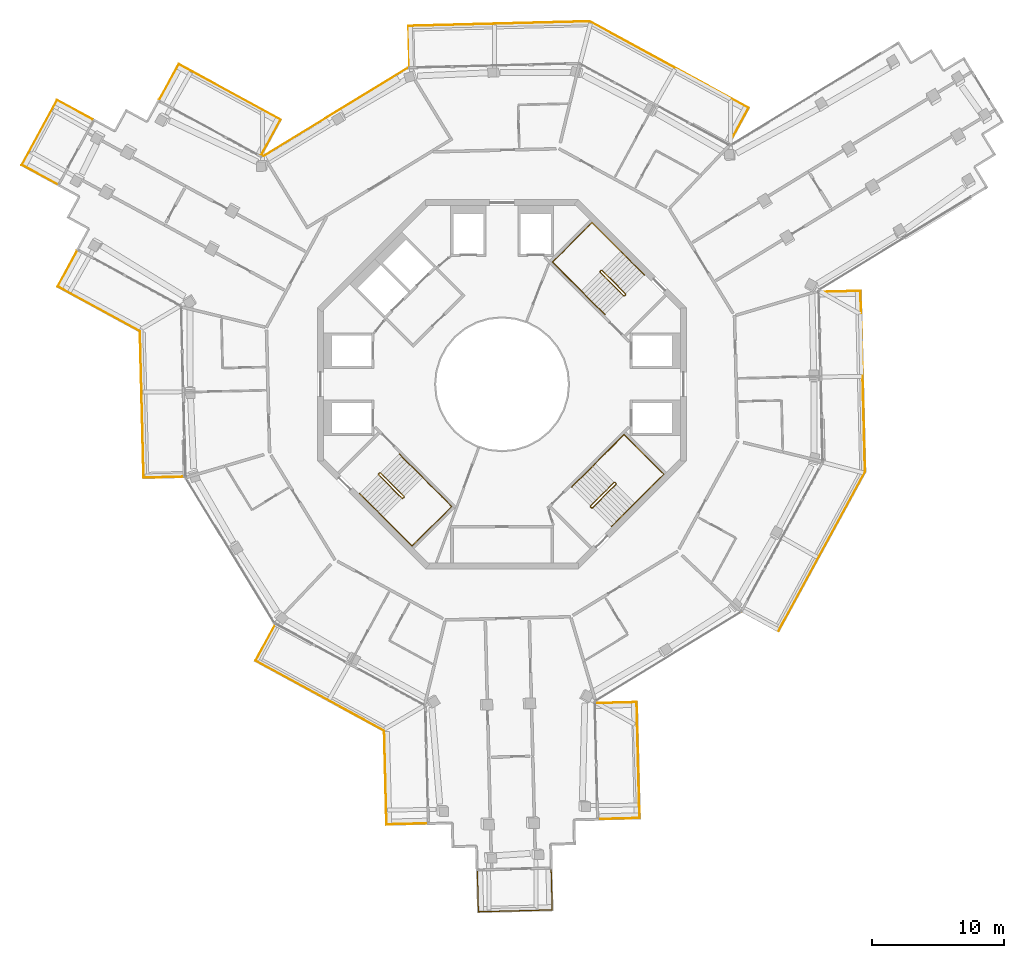
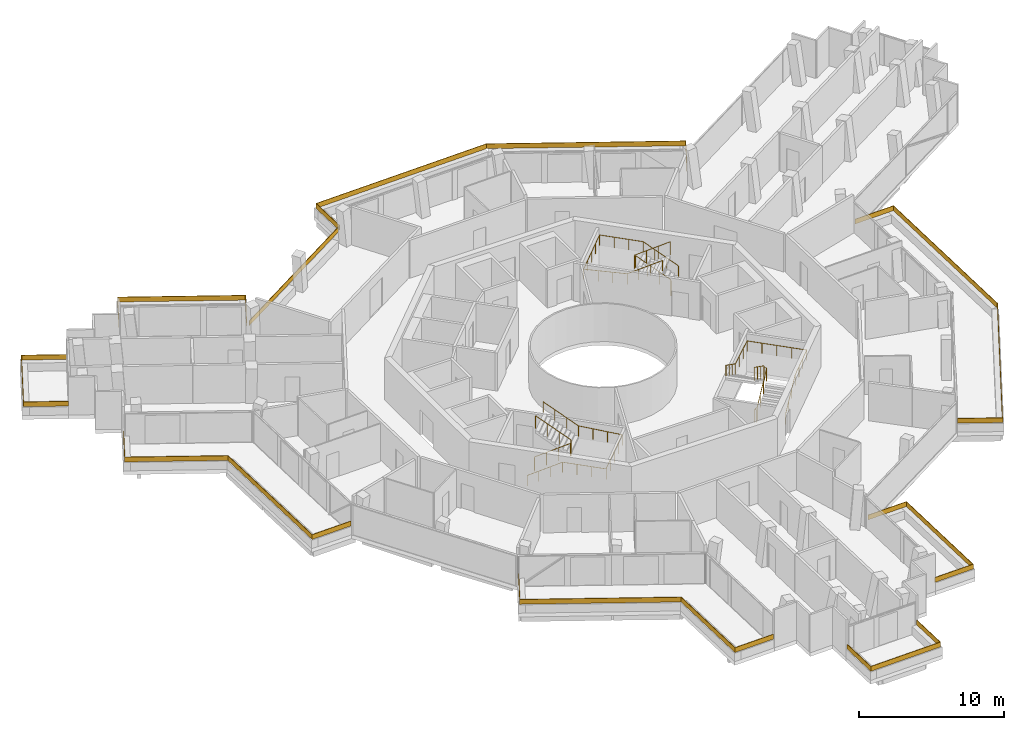
# One storey, part 26 of 26: 15 railings.
"""IFC4 building model written with IfcOpenShell, lengths in metres."""

from ifc_helpers import new_model, si_unit, direction, frame, origin, origin_2d, place, context, subcontext, project, spatial, polyline, rectangle, circle, outline, extrude, material, layer, layer_set, type_object, element, save


model = new_model("IFC4")

# Units and contexts
model_context = context("Model", 3, precision=1e-05, world=origin(), true_north=direction((0.0, 1.0)))
body_context = subcontext(model_context, "Body", "Model", "MODEL_VIEW")
ifc_project = project(units=[si_unit("LENGTHUNIT", "METRE"), si_unit("AREAUNIT", "SQUARE_METRE"), si_unit("VOLUMEUNIT", "CUBIC_METRE"), si_unit("PLANEANGLEUNIT", "RADIAN"), si_unit("MASSUNIT", "GRAM", prefix="KILO")], contexts=[model_context])

# Site, building, storey
site_placement = place(None, origin())
site = spatial("IfcSite", under=ifc_project, at=site_placement, CompositionType="ELEMENT")
building_placement = place(site_placement, origin())
building = spatial("IfcBuilding", under=site, at=building_placement, Name="Verdalira Terraces Hotel", CompositionType="ELEMENT")
storey_placement = place(building_placement, frame((0.0, 0.0, 284.5)))
storey = spatial("IfcBuildingStorey", under=building, at=storey_placement, Name="L70", CompositionType="ELEMENT", Elevation=284.5)

# Railings
ifc_material_1 = material(Name="Laminated glass", Category="glass")
ifc_layer = layer(ifc_material_1, 0.0400390625)
ifc_layer_set = layer_set([ifc_layer], Name="Balcony glass guard 400")
railing_type_1 = type_object("IfcRailingType", Name="Balcony glass guard 400", PredefinedType="GUARDRAIL", material=ifc_layer_set)
railing_1_placement = place(storey_placement, frame((0.0, 0.0, 0.699951)))
element("IfcRailing", 1, at=railing_1_placement, inside=storey, type_object=railing_type_1, Name="Balcony glass guard", PredefinedType="GUARDRAIL", context=body_context, shape_type="SweptSolid", body=[
    extrude(outline(polyline([(-33.74585, 21.533447), (-36.403809, 16.649902), (-33.699463, 15.177979), (-33.71875, 15.142822), (-36.458008, 16.634033), (-33.761719, 21.587646), (-31.022217, 20.096436), (-31.041504, 20.061279), (-33.74585, 21.533447)])), origin(), (0.0, 0.0, 1.0), 0.400146),
])
railing_2_placement = place(storey_placement, frame((0.0, 0.0, 0.699951)))
element("IfcRailing", 2, at=railing_2_placement, inside=storey, type_object=railing_type_1, Name="Balcony glass guard", PredefinedType="GUARDRAIL", context=body_context, shape_type="SweptSolid", body=[
    extrude(outline(polyline([(-33.682129, 7.426514), (-27.448242, 4.033203), (-27.169434, -7.064941), (-24.091309, -6.987549), (-24.090332, -7.027588), (-27.208252, -7.105957), (-27.487793, 4.009277), (-33.736572, 7.4104), (-32.245361, 10.149902), (-32.210205, 10.130859), (-33.682129, 7.426514)])), origin(), (0.0, 0.0, 1.0), 0.400146),
])
railing_3_placement = place(storey_placement, frame((0.0, 0.0, 0.699951)))
element("IfcRailing", 3, at=railing_3_placement, inside=storey, type_object=railing_type_1, Name="Balcony glass guard", PredefinedType="GUARDRAIL", context=body_context, shape_type="SweptSolid", body=[
    extrude(outline(polyline([(-18.673584, -20.96167), (-8.922607, -26.269043), (-8.744385, -33.364502), (-5.66626, -33.287109), (-5.665283, -33.326904), (-8.783203, -33.405273), (-8.962158, -26.293213), (-18.727783, -20.977539), (-17.236572, -18.238037), (-17.201416, -18.257324), (-18.673584, -20.96167)])), origin(), (0.0, 0.0, 1.0), 0.400146),
])
railing_4_placement = place(storey_placement, frame((0.0, 0.0, 0.699951)))
element("IfcRailing", 4, at=railing_4_placement, inside=storey, type_object=railing_type_1, Name="Balcony glass guard", PredefinedType="GUARDRAIL", context=body_context, shape_type="SweptSolid", body=[
    extrude(outline(polyline([(-1.775635, -39.991455), (3.782715, -39.851562), (3.705322, -36.773682), (3.745361, -36.772705), (3.82373, -39.890625), (-1.814453, -40.032227), (-1.892822, -36.914307), (-1.853027, -36.91333), (-1.775635, -39.991455)])), origin(), (0.0, 0.0, 1.0), 0.400146),
])
railing_5_placement = place(storey_placement, frame((0.0, 0.0, 0.699951)))
element("IfcRailing", 5, at=railing_5_placement, inside=storey, type_object=railing_type_1, Name="Balcony glass guard", PredefinedType="GUARDRAIL", context=body_context, shape_type="SweptSolid", body=[
    extrude(outline(polyline([(10.409668, -32.882812), (10.189697, -24.129883), (7.111572, -24.207275), (7.110596, -24.167236), (10.228516, -24.088867), (10.450684, -32.921875), (7.33252, -33.000244), (7.331543, -32.960205), (10.409668, -32.882812)])), origin(), (0.0, 0.0, 1.0), 0.400146),
])
railing_6_placement = place(storey_placement, frame((0.0, 0.0, 0.699951)))
element("IfcRailing", 6, at=railing_6_placement, inside=storey, type_object=railing_type_1, Name="Balcony glass guard", PredefinedType="GUARDRAIL", context=body_context, shape_type="SweptSolid", body=[
    extrude(outline(polyline([(20.96167, -18.673584), (27.513672, -6.635986), (27.169434, 7.064941), (24.091309, 6.987549), (24.090332, 7.027588), (27.208252, 7.105957), (27.553955, -6.645752), (20.977539, -18.727783), (18.238037, -17.236572), (18.257324, -17.201416), (20.96167, -18.673584)])), origin(), (0.0, 0.0, 1.0), 0.400146),
])
railing_7_placement = place(storey_placement, frame((0.0, 0.0, 0.699951)))
element("IfcRailing", 7, at=railing_7_placement, inside=storey, type_object=railing_type_1, Name="Balcony glass guard", PredefinedType="GUARDRAIL", context=body_context, shape_type="SweptSolid", body=[
    extrude(outline(polyline([(18.673584, 20.96167), (6.635986, 27.513672), (-7.064941, 27.169434), (-6.987549, 24.091309), (-7.027588, 24.090332), (-7.105957, 27.208252), (6.645752, 27.553955), (18.727783, 20.977539), (17.236572, 18.238037), (17.201416, 18.257324), (18.673584, 20.96167)])), origin(), (0.0, 0.0, 1.0), 0.400146),
])
railing_8_placement = place(storey_placement, frame((0.0, 0.0, 0.699951)))
element("IfcRailing", 8, at=railing_8_placement, inside=storey, type_object=railing_type_1, Name="Balcony glass guard", PredefinedType="GUARDRAIL", context=body_context, shape_type="SweptSolid", body=[
    extrude(outline(polyline([(-16.831787, 20.069092), (-24.522217, 24.254883), (-25.994141, 21.550537), (-26.029297, 21.569824), (-24.53833, 24.309326), (-16.777588, 20.084961), (-18.268799, 17.345459), (-18.303955, 17.364746), (-16.831787, 20.069092)])), origin(), (0.0, 0.0, 1.0), 0.400146),
])
railing_9_placement = place(storey_placement, frame((-12.627197, 20.654297, 0.699951), z_axis=(0.0, 0.0, 1.0), x_axis=(-0.853186856, -0.521605396, 0.0)))
element("IfcRailing", 9, at=railing_9_placement, inside=storey, type_object=railing_type_1, Name="Loggia glass guard", PredefinedType="GUARDRAIL", context=body_context, shape_type="SweptSolid", body=[
    extrude(rectangle(XDim=12.840088, YDim=0.040039, at=origin_2d()), origin(), (0.0, 0.0, 1.0), 0.399902),
])
ifc_material_2 = material(Name="Stainless steel", Category="steel")
railing_type_2 = type_object("IfcRailingType", Name="Stair guard 1100", PredefinedType="GUARDRAIL", material=ifc_material_2)
railing_10_placement = place(storey_placement, frame((9.369141, 6.78833, 0.0)))
element("IfcRailing", 10, at=railing_10_placement, inside=storey, type_object=railing_type_2, Name="L70 ST1 stair guard 1", PredefinedType="GUARDRAIL", context=body_context, shape_type="SweptSolid", body=[
    extrude(circle(Radius=0.023926, at=origin_2d()), frame((0.0, 0.0, 1.076172), z_axis=(-0.707106781, -0.707106781, 0.0), x_axis=(0.707106781, -0.707106781, 0.0)), (0.0, 0.0, 1.0), 0.100098),
    extrude(circle(Radius=0.023926, at=origin_2d()), frame((-0.070801, -0.070801, 1.076172), z_axis=(0.300162975, 0.599290904, 0.742127078), x_axis=(-0.894118129, 0.447831187, 0.0)), (0.0, 0.0, 1.0), 0.23584),
    extrude(circle(Radius=0.023926, at=origin_2d()), frame((0.0, 0.070557, 1.250977), z_axis=(-0.599637504, 0.599637504, 0.52997144), x_axis=(-0.707106781, -0.707106781, 0.0)), (0.0, 0.0, 1.0), 2.97168),
    extrude(circle(Radius=0.023926, at=origin_2d()), frame((-1.781982, 1.852539, 2.826172), z_axis=(-1.0, 0.0, 0.0), x_axis=(0.0, -1.0, 0.0)), (0.0, 0.0, 1.0), 0.070557),
    extrude(circle(Radius=0.023926, at=origin_2d()), frame((-1.852539, 1.852539, 2.826172), z_axis=(-0.707106781, -0.707106781, 0.0), x_axis=(0.707106781, -0.707106781, 0.0)), (0.0, 0.0, 1.0), 0.100098),
    extrude(circle(Radius=0.023926, at=origin_2d()), frame((-1.92334, 1.781738, 2.826172), z_axis=(0.0, -0.373842709, 0.927492118), x_axis=(1.0, 0.0, 0.0)), (0.0, 0.0, 1.0), 0.188721),
    extrude(circle(Radius=0.023926, at=origin_2d()), frame((-1.92334, 1.711182, 3.000977), z_axis=(0.599637504, -0.599637504, 0.52997144), x_axis=(0.707106781, 0.707106781, 0.0)), (0.0, 0.0, 1.0), 2.97168),
    extrude(circle(Radius=0.020996, at=origin_2d()), origin(), (0.0, 0.0, 1.0), 1.052002),
    extrude(circle(Radius=0.020996, at=origin_2d()), frame((-0.070801, -0.070801, 0.0)), (0.0, 0.0, 1.0), 1.052002),
    extrude(circle(Radius=0.020996, at=origin_2d()), frame((0.0, 0.070557, 0.175049)), (0.0, 0.0, 1.0), 1.052002),
    extrude(circle(Radius=0.020996, at=origin_2d()), frame((-0.593994, 0.664551, 0.699951)), (0.0, 0.0, 1.0), 1.052002),
    extrude(circle(Radius=0.020996, at=origin_2d()), frame((-1.187988, 1.258545, 1.225098)), (0.0, 0.0, 1.0), 1.052002),
    extrude(circle(Radius=0.020996, at=origin_2d()), frame((-1.781982, 1.852539, 1.75)), (0.0, 0.0, 1.0), 1.052002),
    extrude(circle(Radius=0.020996, at=origin_2d()), frame((-1.852539, 1.852539, 1.75)), (0.0, 0.0, 1.0), 1.052002),
    extrude(circle(Radius=0.020996, at=origin_2d()), frame((-1.92334, 1.781738, 1.75)), (0.0, 0.0, 1.0), 1.052002),
    extrude(circle(Radius=0.020996, at=origin_2d()), frame((-1.92334, 1.711182, 1.925049)), (0.0, 0.0, 1.0), 1.052002),
    extrude(circle(Radius=0.020996, at=origin_2d()), frame((-1.329346, 1.117188, 2.449951)), (0.0, 0.0, 1.0), 1.052002),
    extrude(circle(Radius=0.020996, at=origin_2d()), frame((-0.735352, 0.523193, 2.975098)), (0.0, 0.0, 1.0), 1.052002),
    extrude(circle(Radius=0.020996, at=origin_2d()), frame((-0.141357, -0.070801, 3.5)), (0.0, 0.0, 1.0), 1.052002),
])
railing_11_placement = place(storey_placement, frame((-9.369141, -6.78833, 0.0)))
element("IfcRailing", 11, at=railing_11_placement, inside=storey, type_object=railing_type_2, Name="L70 ST2 stair guard 1", PredefinedType="GUARDRAIL", context=body_context, shape_type="SweptSolid", body=[
    extrude(circle(Radius=0.023926, at=origin_2d()), frame((0.0, 0.0, 1.076172), z_axis=(0.707106781, 0.707106781, 0.0), x_axis=(-0.707106781, 0.707106781, 0.0)), (0.0, 0.0, 1.0), 0.100098),
    extrude(circle(Radius=0.023926, at=origin_2d()), frame((0.070801, 0.070801, 1.076172), z_axis=(-0.300162975, -0.599290904, 0.742127078), x_axis=(0.894118129, -0.447831187, 0.0)), (0.0, 0.0, 1.0), 0.23584),
    extrude(circle(Radius=0.023926, at=origin_2d()), frame((0.0, -0.070557, 1.250977), z_axis=(0.599637504, -0.599637504, 0.52997144), x_axis=(0.707106781, 0.707106781, 0.0)), (0.0, 0.0, 1.0), 2.97168),
    extrude(circle(Radius=0.023926, at=origin_2d()), frame((1.781982, -1.852539, 2.826172), z_axis=(1.0, 0.0, 0.0), x_axis=(0.0, 1.0, 0.0)), (0.0, 0.0, 1.0), 0.070557),
    extrude(circle(Radius=0.023926, at=origin_2d()), frame((1.852539, -1.852539, 2.826172), z_axis=(0.707106781, 0.707106781, 0.0), x_axis=(-0.707106781, 0.707106781, 0.0)), (0.0, 0.0, 1.0), 0.100098),
    extrude(circle(Radius=0.023926, at=origin_2d()), frame((1.92334, -1.781738, 2.826172), z_axis=(0.0, 0.373842709, 0.927492118), x_axis=(-1.0, 0.0, 0.0)), (0.0, 0.0, 1.0), 0.188721),
    extrude(circle(Radius=0.023926, at=origin_2d()), frame((1.92334, -1.711182, 3.000977), z_axis=(-0.599637504, 0.599637504, 0.52997144), x_axis=(-0.707106781, -0.707106781, 0.0)), (0.0, 0.0, 1.0), 2.97168),
    extrude(circle(Radius=0.020996, at=origin_2d()), origin(), (0.0, 0.0, 1.0), 1.052002),
    extrude(circle(Radius=0.020996, at=origin_2d()), frame((0.070801, 0.070801, 0.0)), (0.0, 0.0, 1.0), 1.052002),
    extrude(circle(Radius=0.020996, at=origin_2d()), frame((0.0, -0.070557, 0.175049)), (0.0, 0.0, 1.0), 1.052002),
    extrude(circle(Radius=0.020996, at=origin_2d()), frame((0.593994, -0.664551, 0.699951)), (0.0, 0.0, 1.0), 1.052002),
    extrude(circle(Radius=0.020996, at=origin_2d()), frame((1.187988, -1.258545, 1.225098)), (0.0, 0.0, 1.0), 1.052002),
    extrude(circle(Radius=0.020996, at=origin_2d()), frame((1.781982, -1.852539, 1.75)), (0.0, 0.0, 1.0), 1.052002),
    extrude(circle(Radius=0.020996, at=origin_2d()), frame((1.852539, -1.852539, 1.75)), (0.0, 0.0, 1.0), 1.052002),
    extrude(circle(Radius=0.020996, at=origin_2d()), frame((1.92334, -1.781738, 1.75)), (0.0, 0.0, 1.0), 1.052002),
    extrude(circle(Radius=0.020996, at=origin_2d()), frame((1.92334, -1.711182, 1.925049)), (0.0, 0.0, 1.0), 1.052002),
    extrude(circle(Radius=0.020996, at=origin_2d()), frame((1.329346, -1.117188, 2.449951)), (0.0, 0.0, 1.0), 1.052002),
    extrude(circle(Radius=0.020996, at=origin_2d()), frame((0.735352, -0.523193, 2.975098)), (0.0, 0.0, 1.0), 1.052002),
    extrude(circle(Radius=0.020996, at=origin_2d()), frame((0.141357, 0.070801, 3.5)), (0.0, 0.0, 1.0), 1.052002),
])
railing_12_placement = place(storey_placement, frame((6.78833, -9.369141, 0.0)))
element("IfcRailing", 12, at=railing_12_placement, inside=storey, type_object=railing_type_2, Name="L70 ST3 stair guard 1", PredefinedType="GUARDRAIL", context=body_context, shape_type="SweptSolid", body=[
    extrude(circle(Radius=0.023926, at=origin_2d()), frame((0.0, 0.0, 1.076172), z_axis=(-0.707106781, 0.707106781, 0.0), x_axis=(-0.707106781, -0.707106781, 0.0)), (0.0, 0.0, 1.0), 0.100098),
    extrude(circle(Radius=0.023926, at=origin_2d()), frame((-0.070801, 0.070801, 1.076172), z_axis=(0.599290904, -0.300162975, 0.742127078), x_axis=(0.447831187, 0.894118129, 0.0)), (0.0, 0.0, 1.0), 0.23584),
    extrude(circle(Radius=0.023926, at=origin_2d()), frame((0.070557, 0.0, 1.250977), z_axis=(0.599637504, 0.599637504, 0.52997144), x_axis=(-0.707106781, 0.707106781, 0.0)), (0.0, 0.0, 1.0), 2.97168),
    extrude(circle(Radius=0.023926, at=origin_2d()), frame((1.852539, 1.781982, 2.826172), z_axis=(0.0, 1.0, 0.0), x_axis=(-1.0, 0.0, 0.0)), (0.0, 0.0, 1.0), 0.070557),
    extrude(circle(Radius=0.023926, at=origin_2d()), frame((1.852539, 1.852539, 2.826172), z_axis=(-0.707106781, 0.707106781, 0.0), x_axis=(-0.707106781, -0.707106781, 0.0)), (0.0, 0.0, 1.0), 0.100098),
    extrude(circle(Radius=0.023926, at=origin_2d()), frame((1.781738, 1.92334, 2.826172), z_axis=(-0.373842709, 0.0, 0.927492118), x_axis=(0.0, -1.0, 0.0)), (0.0, 0.0, 1.0), 0.188721),
    extrude(circle(Radius=0.023926, at=origin_2d()), frame((1.711182, 1.92334, 3.000977), z_axis=(-0.599637504, -0.599637504, 0.52997144), x_axis=(0.707106781, -0.707106781, 0.0)), (0.0, 0.0, 1.0), 2.97168),
    extrude(circle(Radius=0.020996, at=origin_2d()), origin(), (0.0, 0.0, 1.0), 1.052002),
    extrude(circle(Radius=0.020996, at=origin_2d()), frame((-0.070801, 0.070801, 0.0)), (0.0, 0.0, 1.0), 1.052002),
    extrude(circle(Radius=0.020996, at=origin_2d()), frame((0.070557, 0.0, 0.175049)), (0.0, 0.0, 1.0), 1.052002),
    extrude(circle(Radius=0.020996, at=origin_2d()), frame((0.664551, 0.593994, 0.699951)), (0.0, 0.0, 1.0), 1.052002),
    extrude(circle(Radius=0.020996, at=origin_2d()), frame((1.258545, 1.187988, 1.225098)), (0.0, 0.0, 1.0), 1.052002),
    extrude(circle(Radius=0.020996, at=origin_2d()), frame((1.852539, 1.781982, 1.75)), (0.0, 0.0, 1.0), 1.052002),
    extrude(circle(Radius=0.020996, at=origin_2d()), frame((1.852539, 1.852539, 1.75)), (0.0, 0.0, 1.0), 1.052002),
    extrude(circle(Radius=0.020996, at=origin_2d()), frame((1.781738, 1.92334, 1.75)), (0.0, 0.0, 1.0), 1.052002),
    extrude(circle(Radius=0.020996, at=origin_2d()), frame((1.711182, 1.92334, 1.925049)), (0.0, 0.0, 1.0), 1.052002),
    extrude(circle(Radius=0.020996, at=origin_2d()), frame((1.117188, 1.329346, 2.449951)), (0.0, 0.0, 1.0), 1.052002),
    extrude(circle(Radius=0.020996, at=origin_2d()), frame((0.523193, 0.735352, 2.975098)), (0.0, 0.0, 1.0), 1.052002),
    extrude(circle(Radius=0.020996, at=origin_2d()), frame((-0.070801, 0.141357, 3.5)), (0.0, 0.0, 1.0), 1.052002),
])
ifc_material_3 = material(Name="Stainless steel", Category="steel")
railing_type_3 = type_object("IfcRailingType", Name="Stair handrail 900", PredefinedType="HANDRAIL", material=ifc_material_3)
railing_13_placement = place(storey_placement, frame((10.801025, 8.290771, 0.175049)))
element("IfcRailing", 13, at=railing_13_placement, inside=storey, type_object=railing_type_3, Name="L70 ST1 stair handrail 1", PredefinedType="HANDRAIL", context=body_context, shape_type="SweptSolid", body=[
    extrude(circle(Radius=0.023926, at=origin_2d()), frame((0.0, 0.0, 0.875977), z_axis=(-0.599637504, 0.599637504, 0.52997144), x_axis=(-0.707106781, -0.707106781, 0.0)), (0.0, 0.0, 1.0), 2.97168),
    extrude(circle(Radius=0.023926, at=origin_2d()), frame((-1.781982, 1.781982, 2.450684), z_axis=(-0.707106781, 0.707106781, 0.0), x_axis=(-0.707106781, -0.707106781, 0.0)), (0.0, 0.0, 1.0), 3.10498),
    extrude(circle(Radius=0.023926, at=origin_2d()), frame((-3.977539, 3.977539, 2.450684), z_axis=(-0.707106781, -0.707106781, 0.0), x_axis=(0.707106781, -0.707106781, 0.0)), (0.0, 0.0, 1.0), 4.25),
    extrude(circle(Radius=0.023926, at=origin_2d()), frame((-6.982666, 0.972412, 2.450684), z_axis=(0.705985743, -0.705985743, 0.05628731), x_axis=(0.707106781, 0.707106781, 0.0)), (0.0, 0.0, 1.0), 3.109863),
    extrude(circle(Radius=0.023926, at=origin_2d()), frame((-4.787109, -1.223145, 2.625977), z_axis=(0.599637504, -0.599637504, 0.52997144), x_axis=(0.707106781, 0.707106781, 0.0)), (0.0, 0.0, 1.0), 2.97168),
    extrude(circle(Radius=0.020996, at=origin_2d()), origin(), (0.0, 0.0, 1.0), 0.851807),
    extrude(circle(Radius=0.020996, at=origin_2d()), frame((-0.593994, 0.593994, 0.524902)), (0.0, 0.0, 1.0), 0.851807),
    extrude(circle(Radius=0.020996, at=origin_2d()), frame((-1.187988, 1.187988, 1.050049)), (0.0, 0.0, 1.0), 0.851807),
    extrude(circle(Radius=0.020996, at=origin_2d()), frame((-1.781982, 1.781982, 1.574951)), (0.0, 0.0, 1.0), 0.851807),
    extrude(circle(Radius=0.020996, at=origin_2d()), frame((-2.513916, 2.513916, 1.574951)), (0.0, 0.0, 1.0), 0.851807),
    extrude(circle(Radius=0.020996, at=origin_2d()), frame((-3.245605, 3.245605, 1.574951)), (0.0, 0.0, 1.0), 0.851807),
    extrude(circle(Radius=0.020996, at=origin_2d()), frame((-3.977539, 3.977539, 1.574951)), (0.0, 0.0, 1.0), 0.851807),
    extrude(circle(Radius=0.020996, at=origin_2d()), frame((-4.72876, 3.226318, 1.574951)), (0.0, 0.0, 1.0), 0.851807),
    extrude(circle(Radius=0.020996, at=origin_2d()), frame((-5.47998, 2.475098, 1.574951)), (0.0, 0.0, 1.0), 0.851807),
    extrude(circle(Radius=0.020996, at=origin_2d()), frame((-6.231445, 1.723633, 1.574951)), (0.0, 0.0, 1.0), 0.851807),
    extrude(circle(Radius=0.020996, at=origin_2d()), frame((-6.982666, 0.972412, 1.574951)), (0.0, 0.0, 1.0), 0.851807),
    extrude(circle(Radius=0.020996, at=origin_2d()), frame((-6.250732, 0.240479, 1.633301)), (0.0, 0.0, 1.0), 0.851807),
    extrude(circle(Radius=0.020996, at=origin_2d()), frame((-5.519043, -0.491211, 1.69165)), (0.0, 0.0, 1.0), 0.851807),
    extrude(circle(Radius=0.020996, at=origin_2d()), frame((-4.787109, -1.223145, 1.75)), (0.0, 0.0, 1.0), 0.851807),
    extrude(circle(Radius=0.020996, at=origin_2d()), frame((-4.193115, -1.817139, 2.274902)), (0.0, 0.0, 1.0), 0.851807),
    extrude(circle(Radius=0.020996, at=origin_2d()), frame((-3.599121, -2.411133, 2.800049)), (0.0, 0.0, 1.0), 0.851807),
    extrude(circle(Radius=0.020996, at=origin_2d()), frame((-3.005127, -3.005127, 3.324951)), (0.0, 0.0, 1.0), 0.851807),
])
railing_14_placement = place(storey_placement, frame((-10.801025, -8.290771, 0.175049)))
element("IfcRailing", 14, at=railing_14_placement, inside=storey, type_object=railing_type_3, Name="L70 ST2 stair handrail 1", PredefinedType="HANDRAIL", context=body_context, shape_type="SweptSolid", body=[
    extrude(circle(Radius=0.023926, at=origin_2d()), frame((0.0, 0.0, 0.875977), z_axis=(0.599637504, -0.599637504, 0.52997144), x_axis=(0.707106781, 0.707106781, 0.0)), (0.0, 0.0, 1.0), 2.97168),
    extrude(circle(Radius=0.023926, at=origin_2d()), frame((1.781982, -1.781982, 2.450684), z_axis=(0.707106781, -0.707106781, 0.0), x_axis=(0.707106781, 0.707106781, 0.0)), (0.0, 0.0, 1.0), 3.10498),
    extrude(circle(Radius=0.023926, at=origin_2d()), frame((3.977539, -3.977539, 2.450684), z_axis=(0.707106781, 0.707106781, 0.0), x_axis=(-0.707106781, 0.707106781, 0.0)), (0.0, 0.0, 1.0), 4.25),
    extrude(circle(Radius=0.023926, at=origin_2d()), frame((6.982666, -0.972412, 2.450684), z_axis=(-0.705985743, 0.705985743, 0.05628731), x_axis=(-0.707106781, -0.707106781, 0.0)), (0.0, 0.0, 1.0), 3.109863),
    extrude(circle(Radius=0.023926, at=origin_2d()), frame((4.787109, 1.223145, 2.625977), z_axis=(-0.599637504, 0.599637504, 0.52997144), x_axis=(-0.707106781, -0.707106781, 0.0)), (0.0, 0.0, 1.0), 2.97168),
    extrude(circle(Radius=0.020996, at=origin_2d()), origin(), (0.0, 0.0, 1.0), 0.851807),
    extrude(circle(Radius=0.020996, at=origin_2d()), frame((0.593994, -0.593994, 0.524902)), (0.0, 0.0, 1.0), 0.851807),
    extrude(circle(Radius=0.020996, at=origin_2d()), frame((1.187988, -1.187988, 1.050049)), (0.0, 0.0, 1.0), 0.851807),
    extrude(circle(Radius=0.020996, at=origin_2d()), frame((1.781982, -1.781982, 1.574951)), (0.0, 0.0, 1.0), 0.851807),
    extrude(circle(Radius=0.020996, at=origin_2d()), frame((2.513916, -2.513916, 1.574951)), (0.0, 0.0, 1.0), 0.851807),
    extrude(circle(Radius=0.020996, at=origin_2d()), frame((3.245605, -3.245605, 1.574951)), (0.0, 0.0, 1.0), 0.851807),
    extrude(circle(Radius=0.020996, at=origin_2d()), frame((3.977539, -3.977539, 1.574951)), (0.0, 0.0, 1.0), 0.851807),
    extrude(circle(Radius=0.020996, at=origin_2d()), frame((4.72876, -3.226318, 1.574951)), (0.0, 0.0, 1.0), 0.851807),
    extrude(circle(Radius=0.020996, at=origin_2d()), frame((5.47998, -2.475098, 1.574951)), (0.0, 0.0, 1.0), 0.851807),
    extrude(circle(Radius=0.020996, at=origin_2d()), frame((6.231445, -1.723633, 1.574951)), (0.0, 0.0, 1.0), 0.851807),
    extrude(circle(Radius=0.020996, at=origin_2d()), frame((6.982666, -0.972412, 1.574951)), (0.0, 0.0, 1.0), 0.851807),
    extrude(circle(Radius=0.020996, at=origin_2d()), frame((6.250732, -0.240479, 1.633301)), (0.0, 0.0, 1.0), 0.851807),
    extrude(circle(Radius=0.020996, at=origin_2d()), frame((5.519043, 0.491211, 1.69165)), (0.0, 0.0, 1.0), 0.851807),
    extrude(circle(Radius=0.020996, at=origin_2d()), frame((4.787109, 1.223145, 1.75)), (0.0, 0.0, 1.0), 0.851807),
    extrude(circle(Radius=0.020996, at=origin_2d()), frame((4.193115, 1.817139, 2.274902)), (0.0, 0.0, 1.0), 0.851807),
    extrude(circle(Radius=0.020996, at=origin_2d()), frame((3.599121, 2.411133, 2.800049)), (0.0, 0.0, 1.0), 0.851807),
    extrude(circle(Radius=0.020996, at=origin_2d()), frame((3.005127, 3.005127, 3.324951)), (0.0, 0.0, 1.0), 0.851807),
])
railing_15_placement = place(storey_placement, frame((8.290771, -10.801025, 0.175049)))
element("IfcRailing", 15, at=railing_15_placement, inside=storey, type_object=railing_type_3, Name="L70 ST3 stair handrail 1", PredefinedType="HANDRAIL", context=body_context, shape_type="SweptSolid", body=[
    extrude(circle(Radius=0.023926, at=origin_2d()), frame((0.0, 0.0, 0.875977), z_axis=(0.599637504, 0.599637504, 0.52997144), x_axis=(-0.707106781, 0.707106781, 0.0)), (0.0, 0.0, 1.0), 2.97168),
    extrude(circle(Radius=0.023926, at=origin_2d()), frame((1.781982, 1.781982, 2.450684), z_axis=(0.707106781, 0.707106781, 0.0), x_axis=(-0.707106781, 0.707106781, 0.0)), (0.0, 0.0, 1.0), 3.10498),
    extrude(circle(Radius=0.023926, at=origin_2d()), frame((3.977539, 3.977539, 2.450684), z_axis=(-0.707106781, 0.707106781, 0.0), x_axis=(-0.707106781, -0.707106781, 0.0)), (0.0, 0.0, 1.0), 4.25),
    extrude(circle(Radius=0.023926, at=origin_2d()), frame((0.972412, 6.982666, 2.450684), z_axis=(-0.705985743, -0.705985743, 0.05628731), x_axis=(0.707106781, -0.707106781, 0.0)), (0.0, 0.0, 1.0), 3.109863),
    extrude(circle(Radius=0.023926, at=origin_2d()), frame((-1.223145, 4.787109, 2.625977), z_axis=(-0.599637504, -0.599637504, 0.52997144), x_axis=(0.707106781, -0.707106781, 0.0)), (0.0, 0.0, 1.0), 2.97168),
    extrude(circle(Radius=0.020996, at=origin_2d()), origin(), (0.0, 0.0, 1.0), 0.851807),
    extrude(circle(Radius=0.020996, at=origin_2d()), frame((0.593994, 0.593994, 0.524902)), (0.0, 0.0, 1.0), 0.851807),
    extrude(circle(Radius=0.020996, at=origin_2d()), frame((1.187988, 1.187988, 1.050049)), (0.0, 0.0, 1.0), 0.851807),
    extrude(circle(Radius=0.020996, at=origin_2d()), frame((1.781982, 1.781982, 1.574951)), (0.0, 0.0, 1.0), 0.851807),
    extrude(circle(Radius=0.020996, at=origin_2d()), frame((2.513916, 2.513916, 1.574951)), (0.0, 0.0, 1.0), 0.851807),
    extrude(circle(Radius=0.020996, at=origin_2d()), frame((3.245605, 3.245605, 1.574951)), (0.0, 0.0, 1.0), 0.851807),
    extrude(circle(Radius=0.020996, at=origin_2d()), frame((3.977539, 3.977539, 1.574951)), (0.0, 0.0, 1.0), 0.851807),
    extrude(circle(Radius=0.020996, at=origin_2d()), frame((3.226318, 4.72876, 1.574951)), (0.0, 0.0, 1.0), 0.851807),
    extrude(circle(Radius=0.020996, at=origin_2d()), frame((2.475098, 5.47998, 1.574951)), (0.0, 0.0, 1.0), 0.851807),
    extrude(circle(Radius=0.020996, at=origin_2d()), frame((1.723633, 6.231445, 1.574951)), (0.0, 0.0, 1.0), 0.851807),
    extrude(circle(Radius=0.020996, at=origin_2d()), frame((0.972412, 6.982666, 1.574951)), (0.0, 0.0, 1.0), 0.851807),
    extrude(circle(Radius=0.020996, at=origin_2d()), frame((0.240479, 6.250732, 1.633301)), (0.0, 0.0, 1.0), 0.851807),
    extrude(circle(Radius=0.020996, at=origin_2d()), frame((-0.491211, 5.519043, 1.69165)), (0.0, 0.0, 1.0), 0.851807),
    extrude(circle(Radius=0.020996, at=origin_2d()), frame((-1.223145, 4.787109, 1.75)), (0.0, 0.0, 1.0), 0.851807),
    extrude(circle(Radius=0.020996, at=origin_2d()), frame((-1.817139, 4.193115, 2.274902)), (0.0, 0.0, 1.0), 0.851807),
    extrude(circle(Radius=0.020996, at=origin_2d()), frame((-2.411133, 3.599121, 2.800049)), (0.0, 0.0, 1.0), 0.851807),
    extrude(circle(Radius=0.020996, at=origin_2d()), frame((-3.005127, 3.005127, 3.324951)), (0.0, 0.0, 1.0), 0.851807),
])

save(model, "model.ifc")
